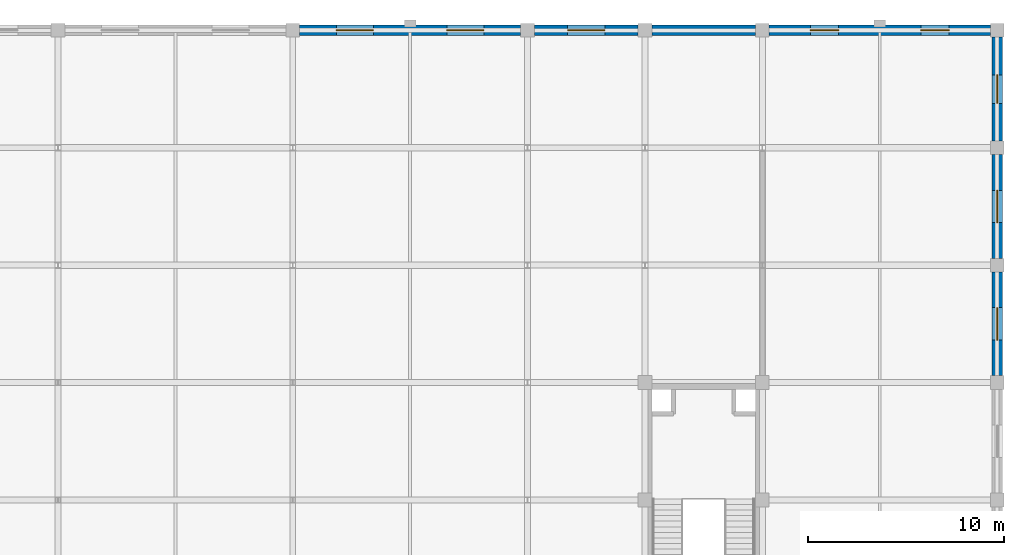
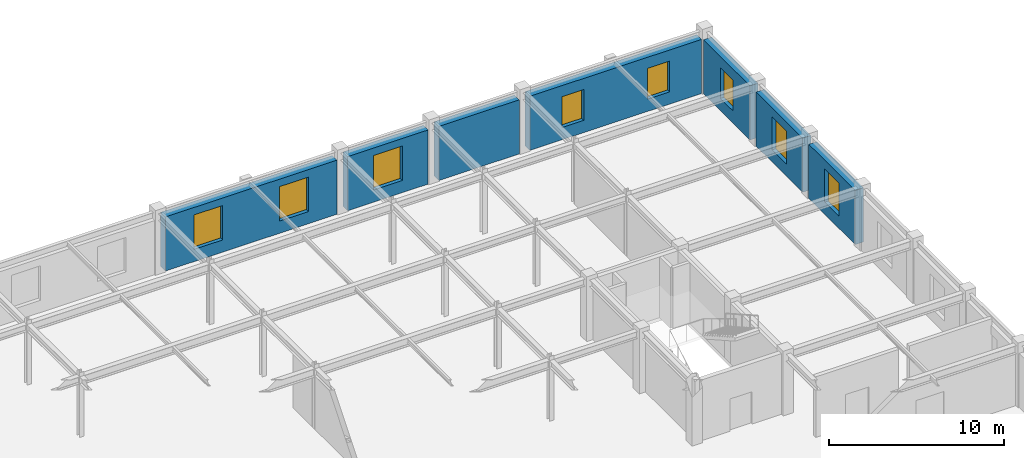
# One storey, part 105 of 108: 8 windows, 7 walls, 8 openings.
"""IFC4 building model written with IfcOpenShell, lengths in metres."""

from ifc_helpers import new_model, si_unit, direction, frame, frame_2d, origin, place, context, subcontext, project, spatial, rectangle, extrude, material, layer, layer_set, type_object, element, fill, save


model = new_model("IFC4")

# Units and contexts
model_context = context("Model", 3, precision=1e-05, world=origin(), true_north=direction((0.0, 1.0)))
body_context = subcontext(model_context, "Body", "Model", "MODEL_VIEW")
ifc_project = project(units=[si_unit("LENGTHUNIT", "METRE"), si_unit("AREAUNIT", "SQUARE_METRE"), si_unit("VOLUMEUNIT", "CUBIC_METRE"), si_unit("PLANEANGLEUNIT", "RADIAN"), si_unit("MASSUNIT", "GRAM", prefix="KILO")], contexts=[model_context])

# Site, building, storey
site_placement = place(None, origin())
site = spatial("IfcSite", under=ifc_project, at=site_placement, CompositionType="ELEMENT")
building_placement = place(site_placement, origin())
building = spatial("IfcBuilding", under=site, at=building_placement, Name="Zlatovratsky Civic Hall", CompositionType="ELEMENT")
storey_placement = place(building_placement, frame((0.0, 0.0, 12.0)))
storey = spatial("IfcBuildingStorey", under=building, at=storey_placement, Name="L03", CompositionType="ELEMENT", Elevation=12.0)

# Wall, openings, windows
ifc_material_1 = material(Name="Acoustic ceramic blockwork", Category="masonry")
ifc_layer_1 = layer(ifc_material_1, 0.39990234375, Name="Backing")
ifc_material_2 = material(Name="Polished Karelian granite ashlar", Category="masonry")
ifc_layer_2 = layer(ifc_material_2, 0.139892578125, Name="Finish")
ifc_layer_set = layer_set([ifc_layer_1, ifc_layer_2], Name="Acoustic ceramic blockwork")
wall_type = type_object("IfcWallType", Name="Wall_PodiumGraniteArcade_540", PredefinedType="SOLIDWALL", material=ifc_layer_set)
wall_1_placement = place(storey_placement, frame((132.35009765625, 114.0, 0.0), z_axis=(0.0, 0.0, 1.0), x_axis=(1.0, 0.0, 0.0)))
wall_1 = element("IfcWall", 1, at=wall_1_placement, inside=storey, type_object=wall_type, Name="WL-0277", PredefinedType="SOLIDWALL", context=body_context, shape_type="SweptSolid", body=[
    extrude(rectangle(XDim=11.2998046875, YDim=0.5400390625, at=frame_2d((5.64990234375, 0.0))), origin(), (0.0, 0.0, 1.0), 3.77001953125),
])
opening_1_placement = place(wall_1_placement, frame((1.875, 0.0, 0.85009765625)))
opening_1 = element("IfcOpeningElement", 2, at=opening_1_placement, cuts=wall_1, Name="Opening WN-08", PredefinedType="OPENING", context=body_context, shape_type="SweptSolid", body=[
    extrude(rectangle(XDim=1.89990234375, YDim=2.39990234375, at=frame_2d((0.949951171875, 1.199951171875))), frame((0.0, 0.284912109375, 0.0), z_axis=(0.0, -1.0, 0.0), x_axis=(1.0, 0.0, 0.0)), (0.0, 0.0, 1.0), 0.56982421875),
])
opening_2_placement = place(wall_1_placement, frame((7.52490234375, 0.0, 0.85009765625)))
opening_2 = element("IfcOpeningElement", 3, at=opening_2_placement, cuts=wall_1, Name="Opening WN-08", PredefinedType="OPENING", context=body_context, shape_type="SweptSolid", body=[
    extrude(rectangle(XDim=1.89990234375, YDim=2.39990234375, at=frame_2d((0.949951171875, 1.199951171875))), frame((0.0, 0.284912109375, 0.0), z_axis=(0.0, -1.0, 0.0), x_axis=(1.0, 0.0, 0.0)), (0.0, 0.0, 1.0), 0.56982421875),
])
ifc_material_3 = material(Name="Low-E laminated double glazing", Category="glass")
window_type_1 = type_object("IfcWindowType", Name="Window_CommitteeWingL03_1900x2400", PartitioningType="SINGLE_PANEL", PredefinedType="WINDOW", material=ifc_material_3)
window_1_placement = place(opening_1_placement, origin())
window_1 = element("IfcWindow", 4, at=window_1_placement, inside=storey, type_object=window_type_1, Name="WN-0210", OverallHeight=2.39990234375, OverallWidth=1.89990234375, PartitioningType="SINGLE_PANEL", PredefinedType="WINDOW", context=body_context, shape_type="SweptSolid", body=[
    extrude(rectangle(XDim=1.89990234375, YDim=2.39990234375, at=frame_2d((0.949951171875, 1.199951171875))), frame((0.0, 0.030029296875, 0.0), z_axis=(0.0, -1.0, 0.0), x_axis=(1.0, 0.0, 0.0)), (0.0, 0.0, 1.0), 0.06005859375),
])
fill(opening_1, window_1)
window_2_placement = place(opening_2_placement, origin())
window_2 = element("IfcWindow", 5, at=window_2_placement, inside=storey, type_object=window_type_1, Name="WN-0211", OverallHeight=2.39990234375, OverallWidth=1.89990234375, PartitioningType="SINGLE_PANEL", PredefinedType="WINDOW", context=body_context, shape_type="SweptSolid", body=[
    extrude(rectangle(XDim=1.89990234375, YDim=2.39990234375, at=frame_2d((0.949951171875, 1.199951171875))), frame((0.0, 0.030029296875, 0.0), z_axis=(0.0, -1.0, 0.0), x_axis=(1.0, 0.0, 0.0)), (0.0, 0.0, 1.0), 0.06005859375),
])
fill(opening_2, window_2)

# Wall, opening, window
wall_2_placement = place(storey_placement, frame((144.35009765625, 114.0, 0.0), z_axis=(0.0, 0.0, 1.0), x_axis=(1.0, 0.0, 0.0)))
wall_2 = element("IfcWall", 6, at=wall_2_placement, inside=storey, type_object=wall_type, Name="WL-0278", PredefinedType="SOLIDWALL", context=body_context, shape_type="SweptSolid", body=[
    extrude(rectangle(XDim=5.2998046875, YDim=0.5400390625, at=frame_2d((2.64990234375, 0.0))), origin(), (0.0, 0.0, 1.0), 3.77001953125),
])
opening_3_placement = place(wall_2_placement, frame((1.699951171875, 0.0, 0.85009765625)))
opening_3 = element("IfcOpeningElement", 7, at=opening_3_placement, cuts=wall_2, Name="Opening WN-08", PredefinedType="OPENING", context=body_context, shape_type="SweptSolid", body=[
    extrude(rectangle(XDim=1.89990234375, YDim=2.39990234375, at=frame_2d((0.949951171875, 1.199951171875))), frame((0.0, 0.284912109375, 0.0), z_axis=(0.0, -1.0, 0.0), x_axis=(1.0, 0.0, 0.0)), (0.0, 0.0, 1.0), 0.56982421875),
])
window_3_placement = place(opening_3_placement, origin())
window_3 = element("IfcWindow", 8, at=window_3_placement, inside=storey, type_object=window_type_1, Name="WN-0212", OverallHeight=2.39990234375, OverallWidth=1.89990234375, PartitioningType="SINGLE_PANEL", PredefinedType="WINDOW", context=body_context, shape_type="SweptSolid", body=[
    extrude(rectangle(XDim=1.89990234375, YDim=2.39990234375, at=frame_2d((0.949951171875, 1.199951171875))), frame((0.0, 0.030029296875, 0.0), z_axis=(0.0, -1.0, 0.0), x_axis=(1.0, 0.0, 0.0)), (0.0, 0.0, 1.0), 0.06005859375),
])
fill(opening_3, window_3)

# Wall
wall_3_placement = place(storey_placement, frame((150.35009765625, 114.0, 0.0), z_axis=(0.0, 0.0, 1.0), x_axis=(1.0, 0.0, 0.0)))
element("IfcWall", 9, at=wall_3_placement, inside=storey, type_object=wall_type, Name="WL-0279", PredefinedType="SOLIDWALL", context=body_context, shape_type="SweptSolid", body=[
    extrude(rectangle(XDim=5.2998046875, YDim=0.5400390625, at=frame_2d((2.64990234375, 0.0))), origin(), (0.0, 0.0, 1.0), 3.77001953125),
])

# Wall, openings, windows
wall_4_placement = place(storey_placement, frame((156.35009765625, 114.0, 0.0), z_axis=(0.0, 0.0, 1.0), x_axis=(1.0, 0.0, 0.0)))
wall_4 = element("IfcWall", 10, at=wall_4_placement, inside=storey, type_object=wall_type, Name="WL-0280", PredefinedType="SOLIDWALL", context=body_context, shape_type="SweptSolid", body=[
    extrude(rectangle(XDim=11.2998046875, YDim=0.5400390625, at=frame_2d((5.64990234375, 0.0))), origin(), (0.0, 0.0, 1.0), 3.77001953125),
])
opening_4_placement = place(wall_4_placement, frame((2.10009765625, 0.0, 0.85009765625)))
opening_4 = element("IfcOpeningElement", 11, at=opening_4_placement, cuts=wall_4, Name="Opening WN-28", PredefinedType="OPENING", context=body_context, shape_type="SweptSolid", body=[
    extrude(rectangle(XDim=1.449951171875, YDim=2.14990234375, at=frame_2d((0.72509765625, 1.074951171875))), frame((0.0, 0.284912109375, 0.0), z_axis=(0.0, -1.0, 0.0), x_axis=(1.0, 0.0, 0.0)), (0.0, 0.0, 1.0), 0.56982421875),
])
opening_5_placement = place(wall_4_placement, frame((7.75, 0.0, 0.85009765625)))
opening_5 = element("IfcOpeningElement", 12, at=opening_5_placement, cuts=wall_4, Name="Opening WN-28", PredefinedType="OPENING", context=body_context, shape_type="SweptSolid", body=[
    extrude(rectangle(XDim=1.449951171875, YDim=2.14990234375, at=frame_2d((0.72509765625, 1.074951171875))), frame((0.0, 0.284912109375, 0.0), z_axis=(0.0, -1.0, 0.0), x_axis=(1.0, 0.0, 0.0)), (0.0, 0.0, 1.0), 0.56982421875),
])
window_type_2 = type_object("IfcWindowType", Name="Window_CornerBastionUpper_1450x2150", PartitioningType="SINGLE_PANEL", PredefinedType="WINDOW", material=ifc_material_3)
window_4_placement = place(opening_4_placement, origin())
window_4 = element("IfcWindow", 13, at=window_4_placement, inside=storey, type_object=window_type_2, Name="WN-0213", OverallHeight=2.14990234375, OverallWidth=1.449951171875, PartitioningType="SINGLE_PANEL", PredefinedType="WINDOW", context=body_context, shape_type="SweptSolid", body=[
    extrude(rectangle(XDim=1.449951171875, YDim=2.14990234375, at=frame_2d((0.72509765625, 1.074951171875))), frame((0.0, 0.030029296875, 0.0), z_axis=(0.0, -1.0, 0.0), x_axis=(1.0, 0.0, 0.0)), (0.0, 0.0, 1.0), 0.06005859375),
])
fill(opening_4, window_4)
window_5_placement = place(opening_5_placement, origin())
window_5 = element("IfcWindow", 14, at=window_5_placement, inside=storey, type_object=window_type_2, Name="WN-0214", OverallHeight=2.14990234375, OverallWidth=1.449951171875, PartitioningType="SINGLE_PANEL", PredefinedType="WINDOW", context=body_context, shape_type="SweptSolid", body=[
    extrude(rectangle(XDim=1.449951171875, YDim=2.14990234375, at=frame_2d((0.72509765625, 1.074951171875))), frame((0.0, 0.030029296875, 0.0), z_axis=(0.0, -1.0, 0.0), x_axis=(1.0, 0.0, 0.0)), (0.0, 0.0, 1.0), 0.06005859375),
])
fill(opening_5, window_5)

# Wall, opening, window
wall_5_placement = place(storey_placement, frame((168.0, 96.35009765625, 0.0), z_axis=(0.0, 0.0, 1.0), x_axis=(0.0, 1.0, 0.0)))
wall_5 = element("IfcWall", 15, at=wall_5_placement, inside=storey, type_object=wall_type, Name="WL-0312", PredefinedType="SOLIDWALL", context=body_context, shape_type="SweptSolid", body=[
    extrude(rectangle(XDim=5.2998046875, YDim=0.5400390625, at=frame_2d((2.64990234375, 0.0))), origin(), (0.0, 0.0, 1.0), 3.77001953125),
])
opening_6_placement = place(wall_5_placement, frame((1.824951171875, 0.0, 0.85009765625)))
opening_6 = element("IfcOpeningElement", 16, at=opening_6_placement, cuts=wall_5, Name="Opening WN-09", PredefinedType="OPENING", context=body_context, shape_type="SweptSolid", body=[
    extrude(rectangle(XDim=1.64990234375, YDim=2.300048828125, at=frame_2d((0.824951171875, 1.14990234375))), frame((0.0, 0.284912109375, 0.0), z_axis=(0.0, -1.0, 0.0), x_axis=(1.0, 0.0, 0.0)), (0.0, 0.0, 1.0), 0.56982421875),
])
window_type_3 = type_object("IfcWindowType", Name="Window_CourtWingL03_1650x2300", PartitioningType="SINGLE_PANEL", PredefinedType="WINDOW", material=ifc_material_3)
window_6_placement = place(opening_6_placement, origin())
window_6 = element("IfcWindow", 17, at=window_6_placement, inside=storey, type_object=window_type_3, Name="WN-0250", OverallHeight=2.300048828125, OverallWidth=1.64990234375, PartitioningType="SINGLE_PANEL", PredefinedType="WINDOW", context=body_context, shape_type="SweptSolid", body=[
    extrude(rectangle(XDim=1.64990234375, YDim=2.300048828125, at=frame_2d((0.824951171875, 1.14990234375))), frame((0.0, 0.030029296875, 0.0), z_axis=(0.0, -1.0, 0.0), x_axis=(1.0, 0.0, 0.0)), (0.0, 0.0, 1.0), 0.06005859375),
])
fill(opening_6, window_6)

wall_6_placement = place(storey_placement, frame((168.0, 102.35009765625, 0.0), z_axis=(0.0, 0.0, 1.0), x_axis=(0.0, 1.0, 0.0)))
wall_6 = element("IfcWall", 18, at=wall_6_placement, inside=storey, type_object=wall_type, Name="WL-0313", PredefinedType="SOLIDWALL", context=body_context, shape_type="SweptSolid", body=[
    extrude(rectangle(XDim=5.2998046875, YDim=0.5400390625, at=frame_2d((2.64990234375, 0.0))), origin(), (0.0, 0.0, 1.0), 3.77001953125),
])
opening_7_placement = place(wall_6_placement, frame((1.824951171875, 0.0, 0.85009765625)))
opening_7 = element("IfcOpeningElement", 19, at=opening_7_placement, cuts=wall_6, Name="Opening WN-09", PredefinedType="OPENING", context=body_context, shape_type="SweptSolid", body=[
    extrude(rectangle(XDim=1.64990234375, YDim=2.300048828125, at=frame_2d((0.824951171875, 1.14990234375))), frame((0.0, 0.284912109375, 0.0), z_axis=(0.0, -1.0, 0.0), x_axis=(1.0, 0.0, 0.0)), (0.0, 0.0, 1.0), 0.56982421875),
])
window_7_placement = place(opening_7_placement, origin())
window_7 = element("IfcWindow", 20, at=window_7_placement, inside=storey, type_object=window_type_3, Name="WN-0251", OverallHeight=2.300048828125, OverallWidth=1.64990234375, PartitioningType="SINGLE_PANEL", PredefinedType="WINDOW", context=body_context, shape_type="SweptSolid", body=[
    extrude(rectangle(XDim=1.64990234375, YDim=2.300048828125, at=frame_2d((0.824951171875, 1.14990234375))), frame((0.0, 0.030029296875, 0.0), z_axis=(0.0, -1.0, 0.0), x_axis=(1.0, 0.0, 0.0)), (0.0, 0.0, 1.0), 0.06005859375),
])
fill(opening_7, window_7)

wall_7_placement = place(storey_placement, frame((168.0, 108.35009765625, 0.0), z_axis=(0.0, 0.0, 1.0), x_axis=(0.0, 1.0, 0.0)))
wall_7 = element("IfcWall", 21, at=wall_7_placement, inside=storey, type_object=wall_type, Name="WL-0314", PredefinedType="SOLIDWALL", context=body_context, shape_type="SweptSolid", body=[
    extrude(rectangle(XDim=5.2998046875, YDim=0.5400390625, at=frame_2d((2.64990234375, 0.0))), origin(), (0.0, 0.0, 1.0), 3.77001953125),
])
opening_8_placement = place(wall_7_placement, frame((1.925048828125, 0.0, 0.85009765625)))
opening_8 = element("IfcOpeningElement", 22, at=opening_8_placement, cuts=wall_7, Name="Opening WN-28", PredefinedType="OPENING", context=body_context, shape_type="SweptSolid", body=[
    extrude(rectangle(XDim=1.449951171875, YDim=2.14990234375, at=frame_2d((0.72509765625, 1.074951171875))), frame((0.0, 0.284912109375, 0.0), z_axis=(0.0, -1.0, 0.0), x_axis=(1.0, 0.0, 0.0)), (0.0, 0.0, 1.0), 0.56982421875),
])
window_8_placement = place(opening_8_placement, origin())
window_8 = element("IfcWindow", 23, at=window_8_placement, inside=storey, type_object=window_type_2, Name="WN-0252", OverallHeight=2.14990234375, OverallWidth=1.449951171875, PartitioningType="SINGLE_PANEL", PredefinedType="WINDOW", context=body_context, shape_type="SweptSolid", body=[
    extrude(rectangle(XDim=1.449951171875, YDim=2.14990234375, at=frame_2d((0.72509765625, 1.074951171875))), frame((0.0, 0.030029296875, 0.0), z_axis=(0.0, -1.0, 0.0), x_axis=(1.0, 0.0, 0.0)), (0.0, 0.0, 1.0), 0.06005859375),
])
fill(opening_8, window_8)

save(model, "model.ifc")
